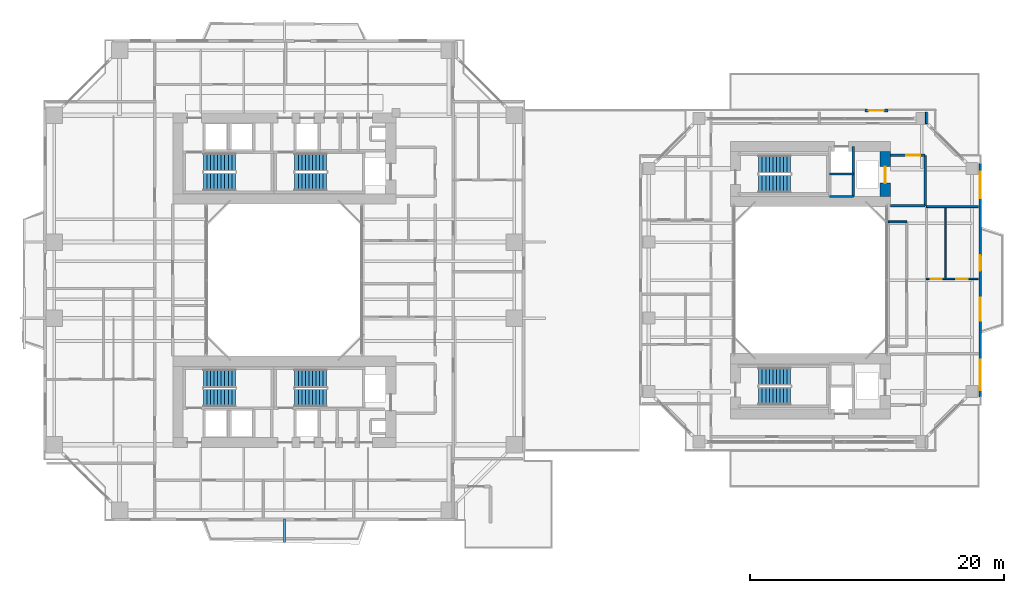
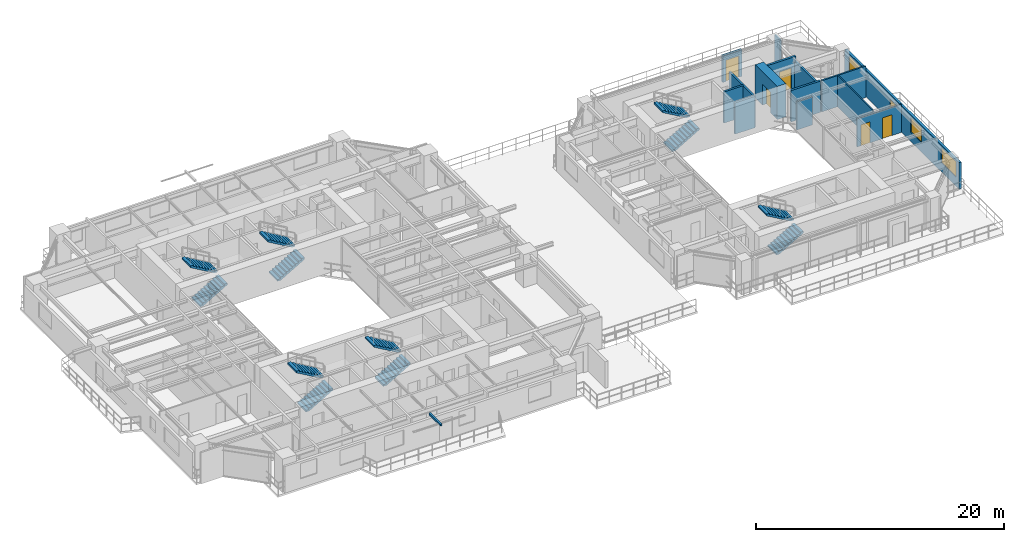
# One storey, part 16 of 22: 14 walls, 12 stair flights, 6 doors, 3 windows, 1 discrete accessory, 9 openings, 6 elements without a shape of their own.
"""IFC4 building model written with IfcOpenShell, lengths in metres."""

import ifcopenshell
import ifcopenshell.guid

model = None  # the IFC model being written
_history = None  # IfcOwnerHistory: only IFC2X3 demands one
_inside = {}  # id of a spatial element -> (the spatial element, [elements in it])
_under = {}  # id of a project, library or spatial element -> (it, [spatial elements below it])
_declared = {}  # id of a project -> (the project, [libraries it declares])
_typed = {}  # id of a type object -> (the type object, [elements of that type])
_made_of = {}  # id of a material, layer set ... -> (it, [elements and type objects made of it])


def new_model(schema):
    """Start an empty IFC model of exactly this schema.

    Asked for "IFC4X3", IfcOpenShell would pick the latest addendum, in which some entities
    have other attributes; the version numbers below select the first issue.
    IFC2X3 requires an IfcOwnerHistory on every rooted entity: one is made here for all.
    """
    global model, _history
    if schema == "IFC4X3":
        model = ifcopenshell.file(schema_version=(4, 3, 0, 0))
    else:
        model = ifcopenshell.file(schema=schema)
    _inside.clear()
    _under.clear()
    _declared.clear()
    _typed.clear()
    _made_of.clear()
    _history = None
    if model.schema == "IFC2X3":
        org = make("IfcOrganization", Name="unknown")
        user = make(
            "IfcPersonAndOrganization",
            ThePerson=make("IfcPerson", FamilyName="unknown"),
            TheOrganization=org,
        )
        app = make(
            "IfcApplication",
            ApplicationDeveloper=org,
            Version="unknown",
            ApplicationFullName="unknown",
            ApplicationIdentifier="unknown",
        )
        _history = make(
            "IfcOwnerHistory",
            OwningUser=user,
            OwningApplication=app,
            ChangeAction="ADDED",
            CreationDate=0,
        )
    return model


def make(cls, **values):
    """One entity of the class cls with the attributes given. An attribute that is None is left unset."""
    return model.create_entity(
        cls, **{name: value for name, value in values.items() if value is not None}
    )


def rooted(cls, **values):
    """An entity with a GlobalId (a new one), such as an element, a storey or a relation."""
    return make(cls, GlobalId=ifcopenshell.guid.new(), OwnerHistory=_history, **values)


def si_unit(unit_type, name, prefix=None):
    """IfcSIUnit, for example si_unit("LENGTHUNIT", "METRE", prefix="MILLI")."""
    return make("IfcSIUnit", UnitType=unit_type, Prefix=prefix, Name=name)


def assignment(units):
    """IfcUnitAssignment: the units of a project."""
    return None if units is None else make("IfcUnitAssignment", Units=units)


def point(xyz):
    """IfcCartesianPoint."""
    return None if xyz is None else make("IfcCartesianPoint", Coordinates=xyz)


def direction(xyz):
    """IfcDirection."""
    return None if xyz is None else make("IfcDirection", DirectionRatios=xyz)


def frame(location, z_axis=None, x_axis=None):
    """IfcAxis2Placement3D, a coordinate frame: its origin and axes. An axis left out is left unset."""
    return make(
        "IfcAxis2Placement3D",
        Location=point(location),
        Axis=direction(z_axis),
        RefDirection=direction(x_axis),
    )


def frame_2d(location, x_axis=None):
    """IfcAxis2Placement2D, a coordinate frame in the plane: its origin and x axis."""
    return make(
        "IfcAxis2Placement2D", Location=point(location), RefDirection=direction(x_axis)
    )


def origin():
    """The frame at (0, 0, 0) with its axes left unset."""
    return frame((0.0, 0.0, 0.0))


def origin_2d():
    """The frame at (0, 0) in the plane with its x axis left unset."""
    return frame_2d((0.0, 0.0))


def place(relative_to, where):
    """IfcLocalPlacement: puts the frame where relative to a parent placement (None: the world)."""
    return make(
        "IfcLocalPlacement", PlacementRelTo=relative_to, RelativePlacement=where
    )


def context(
    kind, dimensions, precision=None, world=None, true_north=None, identifier=None
):
    """IfcGeometricRepresentationContext, for example the 3D "Model" context."""
    return make(
        "IfcGeometricRepresentationContext",
        ContextIdentifier=identifier,
        ContextType=kind,
        CoordinateSpaceDimension=dimensions,
        Precision=precision,
        WorldCoordinateSystem=world,
        TrueNorth=true_north,
    )


def subcontext(parent, identifier, kind, view, scale=None):
    """IfcGeometricRepresentationSubContext, for example "Body" below "Model"."""
    return make(
        "IfcGeometricRepresentationSubContext",
        ContextIdentifier=identifier,
        ContextType=kind,
        ParentContext=parent,
        TargetScale=scale,
        TargetView=view,
    )


def project(units=None, contexts=None):
    """IfcProject with its units and contexts."""
    return rooted(
        "IfcProject",
        Name="project",
        RepresentationContexts=contexts,
        UnitsInContext=assignment(units),
    )


def spatial(cls, under=None, at=None, **own):
    """A site, building, storey or space (cls), placed at a placement, below another one or the project."""
    s = rooted(cls, ObjectPlacement=at, **own)
    if under is not None:
        _under.setdefault(under.id(), (under, []))[1].append(s)
    return s


def polyline(points):
    """IfcPolyline through the points."""
    return make("IfcPolyline", Points=[point(p) for p in points])


def profile(cls, at=None, kind="AREA", **sizes):
    """A parametric profile (cls). Its sizes go by their IFC names, for example OverallWidth=200.0."""
    return make(cls, ProfileType=kind, Position=at, **sizes)


def rectangle(**sizes):
    """IfcRectangleProfileDef."""
    return profile("IfcRectangleProfileDef", **sizes)


def outline(outer, holes=None, kind="AREA"):
    """IfcArbitraryClosedProfileDef: a profile drawn as a closed curve; with holes, ...WithVoids."""
    if holes is None:
        return make("IfcArbitraryClosedProfileDef", ProfileType=kind, OuterCurve=outer)
    return make(
        "IfcArbitraryProfileDefWithVoids",
        ProfileType=kind,
        OuterCurve=outer,
        InnerCurves=holes,
    )


def extrude(swept, where, along, depth):
    """IfcExtrudedAreaSolid: the profile swept, set in the frame where, extruded along a direction by depth."""
    return make(
        "IfcExtrudedAreaSolid",
        SweptArea=swept,
        Position=where,
        ExtrudedDirection=direction(along),
        Depth=depth,
    )


def shape(context_of_items, identifier, shape_type, items):
    """IfcShapeRepresentation: the items that make up one representation, for example the "Body"."""
    return make(
        "IfcShapeRepresentation",
        ContextOfItems=context_of_items,
        RepresentationIdentifier=identifier,
        RepresentationType=shape_type,
        Items=items,
    )


def source(mapping_origin, context_of_items, identifier, shape_type, items):
    """IfcRepresentationMap: a shape defined once, which mapped items show again and again."""
    return make(
        "IfcRepresentationMap",
        MappingOrigin=mapping_origin,
        MappedRepresentation=shape(context_of_items, identifier, shape_type, items),
    )


def transform(
    local_origin,
    x_axis=None,
    y_axis=None,
    z_axis=None,
    scale=None,
    scale2=None,
    scale3=None,
    uniform=True,
):
    """IfcCartesianTransformationOperator3D, or its non-uniform kind. x_axis, y_axis, z_axis: its Axis1, 2, 3."""
    if uniform:
        return make(
            "IfcCartesianTransformationOperator3D",
            Axis1=direction(x_axis),
            Axis2=direction(y_axis),
            LocalOrigin=point(local_origin),
            Scale=scale,
            Axis3=direction(z_axis),
        )
    return make(
        "IfcCartesianTransformationOperator3DnonUniform",
        Axis1=direction(x_axis),
        Axis2=direction(y_axis),
        LocalOrigin=point(local_origin),
        Scale=scale,
        Axis3=direction(z_axis),
        Scale2=scale2,
        Scale3=scale3,
    )


def mapped(mapping_source, mapping_target):
    """IfcMappedItem: shows the shape of a source again, moved by a transform."""
    return make(
        "IfcMappedItem", MappingSource=mapping_source, MappingTarget=mapping_target
    )


def material(Name=None, Category=None):
    """IfcMaterial."""
    return make("IfcMaterial", Name=Name, Category=Category)


def layer(
    of_material, thickness, ventilated=None, Name=None, Category=None, Priority=None
):
    """IfcMaterialLayer: one layer of a wall or slab, of a material (None: an air gap)."""
    return make(
        "IfcMaterialLayer",
        Material=of_material,
        LayerThickness=thickness,
        IsVentilated=ventilated,
        Name=Name,
        Category=Category,
        Priority=Priority,
    )


def layer_set(layers, Name=None):
    """IfcMaterialLayerSet."""
    return make("IfcMaterialLayerSet", MaterialLayers=layers, LayerSetName=Name)


def made_of(thing, what):
    """Note that an element or type object is made of a material, layer set ...; save() writes the relation."""
    if what is not None:
        _made_of.setdefault(what.id(), (what, []))[1].append(thing)
    return thing


def type_object(cls, material=None, **own):
    """A type object (cls), such as IfcWallType, which elements share."""
    return made_of(rooted(cls, **own), material)


def element(
    cls,
    number,
    at=None,
    inside=None,
    cuts=None,
    type_object=None,
    material=None,
    context=None,
    identifier="Body",
    shape_type=None,
    held_by="IfcProductDefinitionShape",
    body=None,
    shapes=None,
    **own,
):
    """One element of the class cls, such as IfcWall. Its Tag is "e" and its number.

    at: its placement. inside: the storey or other place that contains it. cuts: it is an
    opening in that element (IfcRelVoidsElement). A single representation is given by context,
    identifier, shape_type and body (its items); several are given by shapes. held_by: the class
    of the entity that holds the representations. save() writes the other relations.
    """
    e = rooted(cls, Tag="e%d" % number, ObjectPlacement=at, **own)
    if body is not None:
        shapes = [shape(context, identifier, shape_type, body)]
    if shapes is not None:
        e.Representation = make(held_by, Representations=shapes)
    if inside is not None:
        _inside.setdefault(inside.id(), (inside, []))[1].append(e)
    if cuts is not None:
        rooted(
            "IfcRelVoidsElement", RelatingBuildingElement=cuts, RelatedOpeningElement=e
        )
    if type_object is not None:
        _typed.setdefault(type_object.id(), (type_object, []))[1].append(e)
    return made_of(e, material)


def fill(opening, filler):
    """IfcRelFillsElement: the door or window that sits in an opening."""
    return rooted(
        "IfcRelFillsElement",
        RelatingOpeningElement=opening,
        RelatedBuildingElement=filler,
    )


def aggregate(whole, parts):
    """IfcRelAggregates: a whole, such as a stair, and the parts it consists of."""
    return rooted("IfcRelAggregates", RelatingObject=whole, RelatedObjects=parts)


def save(model, path):
    """Write the relations noted so far, then the file.

    IfcRelAggregates (storeys below a building ...), IfcRelContainedInSpatialStructure (elements
    in a storey), IfcRelDefinesByType, IfcRelAssociatesMaterial and IfcRelDeclares: one each for
    every whole, place, type object, material and project.
    """
    for whole, parts in _under.values():
        aggregate(whole, parts)
    for where, things in _inside.values():
        rooted(
            "IfcRelContainedInSpatialStructure",
            RelatedElements=things,
            RelatingStructure=where,
        )
    for kind, things in _typed.values():
        rooted("IfcRelDefinesByType", RelatedObjects=things, RelatingType=kind)
    for what, things in _made_of.values():
        rooted("IfcRelAssociatesMaterial", RelatedObjects=things, RelatingMaterial=what)
    for by, libraries in _declared.values():
        rooted("IfcRelDeclares", RelatingContext=by, RelatedDefinitions=libraries)
    model.write(path)


model = new_model("IFC4")

# Units and contexts
model_context = context("Model", 3, precision=1e-05, world=origin(), true_north=direction((0.0, 1.0)))
body_context = subcontext(model_context, "Body", "Model", "MODEL_VIEW")
ifc_project = project(units=[si_unit("LENGTHUNIT", "METRE"), si_unit("AREAUNIT", "SQUARE_METRE"), si_unit("VOLUMEUNIT", "CUBIC_METRE"), si_unit("PLANEANGLEUNIT", "RADIAN"), si_unit("MASSUNIT", "GRAM", prefix="KILO"), si_unit("THERMODYNAMICTEMPERATUREUNIT", "KELVIN"), si_unit("POWERUNIT", "WATT")], contexts=[model_context])

# Site, building, storey
site_placement = place(None, origin())
site = spatial("IfcSite", under=ifc_project, at=site_placement, CompositionType="ELEMENT")
building_placement = place(site_placement, origin())
building = spatial("IfcBuilding", under=site, at=building_placement, Name="Qiaomeng Ring Towers", CompositionType="ELEMENT")
storey_placement = place(building_placement, frame((0.0, 0.0, 23.0)))
storey = spatial("IfcBuildingStorey", under=building, at=storey_placement, Name="L05", CompositionType="ELEMENT", Elevation=23.0)

# Wall, openings, windows, door
ifc_material_1 = material(Name="Precast concrete C40", Category="concrete")
ifc_layer_1 = layer(ifc_material_1, 0.219970703125, Name="Precast concrete C40")
ifc_layer_set_1 = layer_set([ifc_layer_1], Name="Precast concrete C40")
wall_type_1 = type_object("IfcWallType", Name="ARC-WL-EW2", PredefinedType="STANDARD", material=ifc_layer_set_1)
wall_1_placement = place(storey_placement, frame((73.889892578125, 13.800048828125, 0.0), z_axis=(0.0, 0.0, 1.0), x_axis=(0.0, 1.0, 0.0)))
wall_1 = element("IfcWall", 1, at=wall_1_placement, inside=storey, type_object=wall_type_1, Name="L05 Companion East Wall", PredefinedType="STANDARD", context=body_context, shape_type="SweptSolid", body=[
    extrude(rectangle(XDim=18.39990234375, YDim=0.219970703125, at=frame_2d((9.199951171875, 0.0))), origin(), (0.0, 0.0, 1.0), 2.610107421875),
])
opening_1_placement = place(wall_1_placement, frame((9.949951171875, 0.0, 0.0)))
opening_1 = element("IfcOpeningElement", 2, at=opening_1_placement, cuts=wall_1, Name="Opening BD1", PredefinedType="OPENING", context=body_context, shape_type="SweptSolid", body=[
    extrude(rectangle(XDim=1.199951171875, YDim=2.10009765625, at=frame_2d((0.60009765625, 1.050048828125))), frame((0.0, 0.119873046875, 0.0), z_axis=(0.0, -1.0, 0.0), x_axis=(1.0, 0.0, 0.0)), (0.0, 0.0, 1.0), 0.239990234375),
])
opening_2_placement = place(wall_1_placement, frame((0.507568359375, 0.0, 0.89990234375)))
opening_2 = element("IfcOpeningElement", 3, at=opening_2_placement, cuts=wall_1, Name="Opening WN6", PredefinedType="OPENING", context=body_context, shape_type="SweptSolid", body=[
    extrude(rectangle(XDim=2.39990234375, YDim=1.5, at=frame_2d((1.199951171875, 0.75))), frame((0.0, 0.119873046875, 0.0), z_axis=(0.0, -1.0, 0.0), x_axis=(1.0, 0.0, 0.0)), (0.0, 0.0, 1.0), 0.239990234375),
])
opening_3_placement = place(wall_1_placement, frame((6.0, 0.0, 0.89990234375)))
opening_3 = element("IfcOpeningElement", 4, at=opening_3_placement, cuts=wall_1, Name="Opening WN1", PredefinedType="OPENING", context=body_context, shape_type="SweptSolid", body=[
    extrude(rectangle(XDim=1.800048828125, YDim=1.449951171875, at=frame_2d((0.89990234375, 0.72509765625))), frame((0.0, 0.119873046875, 0.0), z_axis=(0.0, -1.0, 0.0), x_axis=(1.0, 0.0, 0.0)), (0.0, 0.0, 1.0), 0.239990234375),
])
opening_4_placement = place(wall_1_placement, frame((15.642578125, 0.0, 0.89990234375)))
opening_4 = element("IfcOpeningElement", 5, at=opening_4_placement, cuts=wall_1, Name="Opening WN4", PredefinedType="OPENING", context=body_context, shape_type="SweptSolid", body=[
    extrude(rectangle(XDim=2.10009765625, YDim=1.5, at=frame_2d((1.050048828125, 0.75))), frame((0.0, 0.119873046875, 0.0), z_axis=(0.0, -1.0, 0.0), x_axis=(1.0, 0.0, 0.0)), (0.0, 0.0, 1.0), 0.239990234375),
])
ifc_material_2 = material(Name="Low-E dark-grey laminated double glazing", Category="glass")
window_type_1 = type_object("IfcWindowType", Name="ARC-WN-4", PartitioningType="TRIPLE_PANEL_VERTICAL", PredefinedType="WINDOW", material=ifc_material_2)
shared_shape_1 = source(origin(), body_context, "Body", "SweptSolid", [
    extrude(rectangle(XDim=2.10009765625, YDim=1.5, at=frame_2d((1.050048828125, 0.75))), frame((0.0, 0.030029296875, 0.0), z_axis=(0.0, -1.0, 0.0), x_axis=(1.0, 0.0, 0.0)), (0.0, 0.0, 1.0), 0.06005859375),
])
window_1_placement = place(opening_4_placement, origin())
window_1 = element("IfcWindow", 6, at=window_1_placement, inside=storey, type_object=window_type_1, Name="L05 Exterior Window WN4", OverallHeight=1.5, OverallWidth=2.10009765625, PartitioningType="TRIPLE_PANEL_VERTICAL", PredefinedType="WINDOW", context=body_context, shape_type="MappedRepresentation", body=[
    mapped(shared_shape_1, transform((0.0, 0.0, 0.0), x_axis=(1.0, 0.0, 0.0), y_axis=(0.0, 1.0, 0.0), z_axis=(0.0, 0.0, 1.0), scale=1.0)),
])
fill(opening_4, window_1)
window_type_2 = type_object("IfcWindowType", Name="ARC-WN-1", PartitioningType="DOUBLE_PANEL_VERTICAL", PredefinedType="WINDOW", material=ifc_material_2)
shared_shape_2 = source(origin(), body_context, "Body", "SweptSolid", [
    extrude(rectangle(XDim=1.800048828125, YDim=1.449951171875, at=frame_2d((0.89990234375, 0.72509765625))), frame((0.0, 0.030029296875, 0.0), z_axis=(0.0, -1.0, 0.0), x_axis=(1.0, 0.0, 0.0)), (0.0, 0.0, 1.0), 0.06005859375),
])
window_2_placement = place(opening_3_placement, origin())
window_2 = element("IfcWindow", 7, at=window_2_placement, inside=storey, type_object=window_type_2, Name="L05 Exterior Window WN1", OverallHeight=1.449951171875, OverallWidth=1.800048828125, PartitioningType="DOUBLE_PANEL_VERTICAL", PredefinedType="WINDOW", context=body_context, shape_type="MappedRepresentation", body=[
    mapped(shared_shape_2, transform((0.0, 0.0, 0.0), x_axis=(1.0, 0.0, 0.0), y_axis=(0.0, 1.0, 0.0), z_axis=(0.0, 0.0, 1.0), scale=1.0)),
])
fill(opening_3, window_2)
door_type_1 = type_object("IfcDoorType", Name="ARC-DR-BD1", OperationType="NOTDEFINED", PredefinedType="DOOR", material=ifc_material_2)
shared_shape_3 = source(origin(), body_context, "Body", "SweptSolid", [
    extrude(rectangle(XDim=1.199951171875, YDim=2.10009765625, at=frame_2d((0.60009765625, 1.050048828125))), frame((0.0, 0.02490234375, 0.0), z_axis=(0.0, -1.0, 0.0), x_axis=(1.0, 0.0, 0.0)), (0.0, 0.0, 1.0), 0.050048828125),
])
door_1_placement = place(opening_1_placement, origin())
door_1 = element("IfcDoor", 8, at=door_1_placement, inside=storey, type_object=door_type_1, Name="L05 Companion East Balcony Door", OperationType="SINGLE_SWING_LEFT", OverallHeight=2.10009765625, OverallWidth=1.199951171875, PredefinedType="DOOR", context=body_context, shape_type="MappedRepresentation", body=[
    mapped(shared_shape_3, transform((0.0, 0.0, 0.0), x_axis=(1.0, 0.0, 0.0), y_axis=(0.0, 1.0, 0.0), z_axis=(0.0, 0.0, 1.0), scale=1.0)),
])
fill(opening_1, door_1)
window_type_3 = type_object("IfcWindowType", Name="ARC-WN-6", PartitioningType="TRIPLE_PANEL_VERTICAL", PredefinedType="WINDOW", material=ifc_material_2)
shared_shape_4 = source(origin(), body_context, "Body", "SweptSolid", [
    extrude(rectangle(XDim=2.39990234375, YDim=1.5, at=frame_2d((1.199951171875, 0.75))), frame((0.0, 0.030029296875, 0.0), z_axis=(0.0, -1.0, 0.0), x_axis=(1.0, 0.0, 0.0)), (0.0, 0.0, 1.0), 0.06005859375),
])
window_3_placement = place(opening_2_placement, origin())
window_3 = element("IfcWindow", 9, at=window_3_placement, inside=storey, type_object=window_type_3, Name="L05 Exterior Window WN6", OverallHeight=1.5, OverallWidth=2.39990234375, PartitioningType="TRIPLE_PANEL_VERTICAL", PredefinedType="WINDOW", context=body_context, shape_type="MappedRepresentation", body=[
    mapped(shared_shape_4, transform((0.0, 0.0, 0.0), x_axis=(1.0, 0.0, 0.0), y_axis=(0.0, 1.0, 0.0), z_axis=(0.0, 0.0, 1.0), scale=1.0)),
])
fill(opening_2, window_3)

# Wall, opening, door
wall_2_placement = place(storey_placement, frame((64.800048828125, 36.389892578125, 0.0), z_axis=(0.0, 0.0, 1.0), x_axis=(1.0, 0.0, 0.0)))
wall_2 = element("IfcWall", 10, at=wall_2_placement, inside=storey, type_object=wall_type_1, Name="L05 Companion North Terrace Gate Wall", PredefinedType="STANDARD", context=body_context, shape_type="SweptSolid", body=[
    extrude(rectangle(XDim=1.800048828125, YDim=0.219970703125, at=frame_2d((0.89990234375, 0.0))), origin(), (0.0, 0.0, 1.0), 2.610107421875),
])
opening_5_placement = place(wall_2_placement, frame((0.300048828125, 0.0, 0.0)))
opening_5 = element("IfcOpeningElement", 11, at=opening_5_placement, cuts=wall_2, Name="Opening BD1", PredefinedType="OPENING", context=body_context, shape_type="SweptSolid", body=[
    extrude(rectangle(XDim=1.199951171875, YDim=2.10009765625, at=frame_2d((0.60009765625, 1.050048828125))), frame((0.0, 0.119873046875, 0.0), z_axis=(0.0, -1.0, 0.0), x_axis=(1.0, 0.0, 0.0)), (0.0, 0.0, 1.0), 0.239990234375),
])
door_2_placement = place(opening_5_placement, origin())
door_2 = element("IfcDoor", 12, at=door_2_placement, inside=storey, type_object=door_type_1, Name="L05 Companion North Roof Terrace Door", OperationType="SINGLE_SWING_LEFT", OverallHeight=2.10009765625, OverallWidth=1.199951171875, PredefinedType="DOOR", context=body_context, shape_type="MappedRepresentation", body=[
    mapped(shared_shape_3, transform((0.0, 0.0, 0.0), x_axis=(1.0, 0.0, 0.0), y_axis=(0.0, 1.0, 0.0), z_axis=(0.0, 0.0, 1.0), scale=1.0)),
])
fill(opening_5, door_2)

# Walls
ifc_material_3 = material(Name="Autoclaved aerated concrete block", Category="concrete")
ifc_layer_2 = layer(ifc_material_3, 0.199951171875, Name="Autoclaved aerated concrete block")
ifc_layer_set_2 = layer_set([ifc_layer_2], Name="Autoclaved aerated concrete block")
wall_type_2 = type_object("IfcWallType", Name="ARC-WL-PW1", PredefinedType="PARTITIONING", material=ifc_layer_set_2)
wall_3_placement = place(storey_placement, frame((66.800048828125, 28.85009765625, 0.0), z_axis=(0.0, 0.0, 1.0), x_axis=(1.0, 0.0, 0.0)))
element("IfcWall", 13, at=wall_3_placement, inside=storey, type_object=wall_type_2, Name="L05 Interior Wall PW1", PredefinedType="PARTITIONING", context=body_context, shape_type="SweptSolid", body=[
    extrude(rectangle(XDim=2.75, YDim=0.199951171875, at=frame_2d((1.375, 0.0))), origin(), (0.0, 0.0, 1.0), 3.070068359375),
])
wall_4_placement = place(storey_placement, frame((69.550048828125, 28.85009765625, 0.0), z_axis=(0.0, 0.0, 1.0), x_axis=(0.0, 1.0, 0.0)))
element("IfcWall", 14, at=wall_4_placement, inside=storey, type_object=wall_type_2, Name="L05 Interior Wall PW1", PredefinedType="PARTITIONING", context=body_context, shape_type="SweptSolid", body=[
    extrude(rectangle(XDim=4.0, YDim=0.199951171875, at=frame_2d((2.0, 0.0))), origin(), (0.0, 0.0, 1.0), 2.614990234375),
])

# Wall, opening, door
wall_5_placement = place(storey_placement, frame((66.800048828125, 32.85009765625, 0.0), z_axis=(0.0, 0.0, 1.0), x_axis=(1.0, 0.0, 0.0)))
wall_5 = element("IfcWall", 15, at=wall_5_placement, inside=storey, type_object=wall_type_2, Name="L05 Interior Wall PW1", PredefinedType="PARTITIONING", context=body_context, shape_type="SweptSolid", body=[
    extrude(rectangle(XDim=2.75, YDim=0.199951171875, at=frame_2d((1.375, 0.0))), origin(), (0.0, 0.0, 1.0), 3.070068359375),
])
opening_6_placement = place(wall_5_placement, frame((1.25, 0.0, 0.0)))
opening_6 = element("IfcOpeningElement", 16, at=opening_6_placement, cuts=wall_5, Name="Opening FD3", PredefinedType="OPENING", context=body_context, shape_type="SweptSolid", body=[
    extrude(rectangle(XDim=1.10009765625, YDim=2.050048828125, at=frame_2d((0.550048828125, 1.02490234375))), frame((0.0, 0.10986328125, 0.0), z_axis=(0.0, -1.0, 0.0), x_axis=(1.0, 0.0, 0.0)), (0.0, 0.0, 1.0), 0.219970703125),
])
ifc_material_4 = material(Name="Galvanised steel", Category="steel")
door_type_2 = type_object("IfcDoorType", Name="ARC-DR-FD3", OperationType="NOTDEFINED", PredefinedType="DOOR", material=ifc_material_4)
shared_shape_5 = source(origin(), body_context, "Body", "SweptSolid", [
    extrude(rectangle(XDim=1.10009765625, YDim=2.050048828125, at=frame_2d((0.550048828125, 1.02490234375))), frame((0.0, 0.02490234375, 0.0), z_axis=(0.0, -1.0, 0.0), x_axis=(1.0, 0.0, 0.0)), (0.0, 0.0, 1.0), 0.050048828125),
])
door_3_placement = place(opening_6_placement, origin())
door_3 = element("IfcDoor", 17, at=door_3_placement, inside=storey, type_object=door_type_2, Name="L05 Door FD3", OperationType="SINGLE_SWING_RIGHT", OverallHeight=2.050048828125, OverallWidth=1.10009765625, PredefinedType="DOOR", context=body_context, shape_type="MappedRepresentation", body=[
    mapped(shared_shape_5, transform((0.0, 0.0, 0.0), x_axis=(1.0, 0.0, 0.0), y_axis=(0.0, 1.0, 0.0), z_axis=(0.0, 0.0, 1.0), scale=1.0)),
])
fill(opening_6, door_3)

# Walls
ifc_material_5 = material(Name="Gypsum fireboard steel-stud partition", Category="steel")
ifc_layer_3 = layer(ifc_material_5, 0.14990234375, Name="Gypsum fireboard steel-stud partition")
ifc_layer_set_3 = layer_set([ifc_layer_3], Name="Gypsum fireboard steel-stud partition")
wall_type_3 = type_object("IfcWallType", Name="ARC-WL-PW3", PredefinedType="PARTITIONING", material=ifc_layer_set_3)
wall_6_placement = place(storey_placement, frame((69.64990234375, 28.800048828125, 0.0), z_axis=(0.0, 0.0, 1.0), x_axis=(1.0, 0.0, 0.0)))
element("IfcWall", 18, at=wall_6_placement, inside=storey, type_object=wall_type_3, Name="L05 Interior Wall PW3", PredefinedType="PARTITIONING", context=body_context, shape_type="SweptSolid", body=[
    extrude(rectangle(XDim=4.10009765625, YDim=0.14990234375, at=frame_2d((2.050048828125, 0.0))), origin(), (0.0, 0.0, 1.0), 3.070068359375),
])
wall_7_placement = place(storey_placement, frame((66.64990234375, 27.60009765625, 0.0), z_axis=(0.0, 0.0, 1.0), x_axis=(1.0, 0.0, 0.0)))
element("IfcWall", 19, at=wall_7_placement, inside=storey, type_object=wall_type_3, Name="L05 Interior Wall PW3", PredefinedType="PARTITIONING", context=body_context, shape_type="SweptSolid", body=[
    extrude(rectangle(XDim=1.4501953125, YDim=0.14990234375, at=frame_2d((0.72509765625, 0.0))), origin(), (0.0, 0.0, 1.0), 2.77099609375),
])
wall_8_placement = place(storey_placement, frame((69.64990234375, 35.35009765625, 0.0), z_axis=(0.0, 0.0, 1.0), x_axis=(0.0, 1.0, 0.0)))
element("IfcWall", 20, at=wall_8_placement, inside=storey, type_object=wall_type_3, Name="L05 Interior Wall PW3", PredefinedType="PARTITIONING", context=body_context, shape_type="SweptSolid", body=[
    extrude(rectangle(XDim=0.89990234375, YDim=0.14990234375, at=frame_2d((0.449951171875, 0.0))), origin(), (0.0, 0.0, 1.0), 3.070068359375),
])

# Wall, openings, doors
ifc_material_6 = material(Name="Moisture-resistant gypsum steel-stud partition", Category="steel")
ifc_layer_4 = layer(ifc_material_6, 0.1201171875, Name="Moisture-resistant gypsum steel-stud partition")
ifc_layer_set_4 = layer_set([ifc_layer_4], Name="Moisture-resistant gypsum steel-stud partition")
wall_type_4 = type_object("IfcWallType", Name="ARC-WL-PW4", PredefinedType="PLUMBINGWALL", material=ifc_layer_set_4)
wall_9_placement = place(storey_placement, frame((69.64990234375, 23.10009765625, 0.0), z_axis=(0.0, 0.0, 1.0), x_axis=(1.0, 0.0, 0.0)))
wall_9 = element("IfcWall", 21, at=wall_9_placement, inside=storey, type_object=wall_type_4, Name="L05 Interior Wall PW4", PredefinedType="PLUMBINGWALL", context=body_context, shape_type="SweptSolid", body=[
    extrude(rectangle(XDim=4.10009765625, YDim=0.1201171875, at=frame_2d((2.050048828125, 0.0))), origin(), (0.0, 0.0, 1.0), 2.77099609375),
])
opening_7_placement = place(wall_9_placement, frame((0.344970703125, 0.0, 0.0)))
opening_7 = element("IfcOpeningElement", 22, at=opening_7_placement, cuts=wall_9, Name="Opening ID2", PredefinedType="OPENING", context=body_context, shape_type="SweptSolid", body=[
    extrude(rectangle(XDim=0.85009765625, YDim=2.050048828125, at=frame_2d((0.425048828125, 1.02490234375))), frame((0.0, 0.070068359375, 0.0), z_axis=(0.0, -1.0, 0.0), x_axis=(1.0, 0.0, 0.0)), (0.0, 0.0, 1.0), 0.14013671875),
])
opening_8_placement = place(wall_9_placement, frame((2.35009765625, 0.0, 0.0)))
opening_8 = element("IfcOpeningElement", 23, at=opening_8_placement, cuts=wall_9, Name="Opening ID1", PredefinedType="OPENING", context=body_context, shape_type="SweptSolid", body=[
    extrude(rectangle(XDim=0.89990234375, YDim=2.050048828125, at=frame_2d((0.449951171875, 1.02490234375))), frame((0.0, 0.070068359375, 0.0), z_axis=(0.0, -1.0, 0.0), x_axis=(1.0, 0.0, 0.0)), (0.0, 0.0, 1.0), 0.14013671875),
])
ifc_material_7 = material(Name="Moisture-resistant engineered timber", Category="wood")
door_type_3 = type_object("IfcDoorType", Name="ARC-DR-ID2", OperationType="NOTDEFINED", PredefinedType="DOOR", material=ifc_material_7)
shared_shape_6 = source(origin(), body_context, "Body", "SweptSolid", [
    extrude(rectangle(XDim=0.85009765625, YDim=2.050048828125, at=frame_2d((0.425048828125, 1.02490234375))), frame((0.0, 0.02490234375, 0.0), z_axis=(0.0, -1.0, 0.0), x_axis=(1.0, 0.0, 0.0)), (0.0, 0.0, 1.0), 0.050048828125),
])
door_4_placement = place(opening_7_placement, origin())
door_4 = element("IfcDoor", 24, at=door_4_placement, inside=storey, type_object=door_type_3, Name="L05 Door ID2", OperationType="SINGLE_SWING_RIGHT", OverallHeight=2.050048828125, OverallWidth=0.85009765625, PredefinedType="DOOR", context=body_context, shape_type="MappedRepresentation", body=[
    mapped(shared_shape_6, transform((0.0, 0.0, 0.0), x_axis=(1.0, 0.0, 0.0), y_axis=(0.0, 1.0, 0.0), z_axis=(0.0, 0.0, 1.0), scale=1.0)),
])
fill(opening_7, door_4)
ifc_material_8 = material(Name="Engineered oak timber", Category="wood")
door_type_4 = type_object("IfcDoorType", Name="ARC-DR-ID1", OperationType="NOTDEFINED", PredefinedType="DOOR", material=ifc_material_8)
shared_shape_7 = source(origin(), body_context, "Body", "SweptSolid", [
    extrude(rectangle(XDim=0.89990234375, YDim=2.050048828125, at=frame_2d((0.449951171875, 1.02490234375))), frame((0.0, 0.02490234375, 0.0), z_axis=(0.0, -1.0, 0.0), x_axis=(1.0, 0.0, 0.0)), (0.0, 0.0, 1.0), 0.050048828125),
])
door_5_placement = place(opening_8_placement, origin())
door_5 = element("IfcDoor", 25, at=door_5_placement, inside=storey, type_object=door_type_4, Name="L05 Door ID1", OperationType="SINGLE_SWING_LEFT", OverallHeight=2.050048828125, OverallWidth=0.89990234375, PredefinedType="DOOR", context=body_context, shape_type="MappedRepresentation", body=[
    mapped(shared_shape_7, transform((0.0, 0.0, 0.0), x_axis=(1.0, 0.0, 0.0), y_axis=(0.0, 1.0, 0.0), z_axis=(0.0, 0.0, 1.0), scale=1.0)),
])
fill(opening_8, door_5)

# Walls
wall_10_placement = place(storey_placement, frame((71.169921875, 23.10009765625, 0.0), z_axis=(0.0, 0.0, 1.0), x_axis=(0.0, 1.0, 0.0)))
element("IfcWall", 26, at=wall_10_placement, inside=storey, type_object=wall_type_4, Name="L05 Interior Wall PW4", PredefinedType="PLUMBINGWALL", context=body_context, shape_type="SweptSolid", body=[
    extrude(rectangle(XDim=5.699951171875, YDim=0.1201171875, at=frame_2d((2.85009765625, 0.0))), origin(), (0.0, 0.0, 1.0), 3.070068359375),
])
ifc_material_9 = material(Name="Concrete C40", Category="concrete")
ifc_layer_5 = layer(ifc_material_9, 0.199951171875, Name="Concrete C40")
ifc_layer_set_5 = layer_set([ifc_layer_5], Name="Concrete C40")
wall_type_5 = type_object("IfcWallType", Name="STR-WL-STSHAFT", PredefinedType="SHEAR", material=ifc_layer_set_5)
wall_11_placement = place(storey_placement, frame((63.8798828125, 29.60009765625, 0.0), z_axis=(0.0, 0.0, 1.0), x_axis=(0.0, 1.0, 0.0)))
element("IfcWall", 27, at=wall_11_placement, inside=storey, type_object=wall_type_5, Name="L05 Companion Lift Shaft East Wall N", PredefinedType="SHEAR", context=body_context, shape_type="SweptSolid", body=[
    extrude(rectangle(XDim=3.949951171875, YDim=0.179931640625, at=frame_2d((1.97509765625, 0.0))), origin(), (0.0, 0.0, 1.0), 3.070068359375),
])
for number, where, z_axis, x_axis, name in (
    (28, (62.02001953125, 31.3798828125, 0.0), (0.0, 0.0, 1.0), (1.0, 0.0, 0.0), "L05 Companion Lift Shaft Divider Wall N"),
    (29, (62.02001953125, 29.60009765625, 0.0), (0.0, 0.0, 1.0), (1.0, 0.0, 0.0), "L05 Companion Riser Shaft Back Wall N"),
):
    element("IfcWall", number, at=place(storey_placement, frame(where, z_axis=z_axis, x_axis=x_axis)), inside=storey, type_object=wall_type_5, Name=name, PredefinedType="SHEAR", context=body_context, shape_type="SweptSolid", body=[
        extrude(rectangle(XDim=1.85986328125, YDim=0.179931640625, at=frame_2d((0.929931640625, 0.0))), origin(), (0.0, 0.0, 1.0), 3.070068359375),
    ])

# Wall, opening, door
ifc_material_10 = material(Name="Concrete C60", Category="concrete")
ifc_layer_6 = layer(ifc_material_10, 0.800048828125, Name="Concrete C60")
ifc_layer_set_6 = layer_set([ifc_layer_6], Name="Concrete C60")
wall_type_6 = type_object("IfcWallType", Name="STR-WL-SW1", PredefinedType="SHEAR", material=ifc_layer_set_6)
wall_12_placement = place(storey_placement, frame((66.39990234375, 29.60009765625, 0.0), z_axis=(0.0, 0.0, 1.0), x_axis=(0.0, 1.0, 0.0)))
wall_12 = element("IfcWall", 30, at=wall_12_placement, inside=storey, type_object=wall_type_6, Name="L05 T2NC east core shear wall", PredefinedType="SHEAR", context=body_context, shape_type="SweptSolid", body=[
    extrude(rectangle(XDim=3.5498046875, YDim=0.800048828125, at=frame_2d((1.77490234375, 0.0))), origin(), (0.0, 0.0, 1.0), 3.25),
])
opening_9_placement = place(wall_12_placement, frame((1.050048828125, 0.0, 0.0)))
opening_9 = element("IfcOpeningElement", 31, at=opening_9_placement, cuts=wall_12, Name="Opening LD2", PredefinedType="OPENING", context=body_context, shape_type="SweptSolid", body=[
    extrude(rectangle(XDim=1.300048828125, YDim=2.050048828125, at=frame_2d((0.64990234375, 1.02490234375))), frame((0.0, 0.409912109375, 0.0), z_axis=(0.0, -1.0, 0.0), x_axis=(1.0, 0.0, 0.0)), (0.0, 0.0, 1.0), 0.820068359375),
])
ifc_material_11 = material(Name="Stainless steel 316", Category="steel")
door_type_5 = type_object("IfcDoorType", Name="ARC-DR-LD2", OperationType="NOTDEFINED", PredefinedType="DOOR", material=ifc_material_11)
shared_shape_8 = source(origin(), body_context, "Body", "SweptSolid", [
    extrude(rectangle(XDim=1.300048828125, YDim=2.050048828125, at=frame_2d((0.64990234375, 1.02490234375))), frame((0.0, 0.02490234375, 0.0), z_axis=(0.0, -1.0, 0.0), x_axis=(1.0, 0.0, 0.0)), (0.0, 0.0, 1.0), 0.050048828125),
])
door_6_placement = place(opening_9_placement, origin())
door_6 = element("IfcDoor", 32, at=door_6_placement, inside=storey, type_object=door_type_5, Name="L05 Firefighting Lift FL3 Landing Door", OperationType="SLIDING_TO_LEFT", OverallHeight=2.050048828125, OverallWidth=1.300048828125, PredefinedType="DOOR", context=body_context, shape_type="MappedRepresentation", body=[
    mapped(shared_shape_8, transform((0.0, 0.0, 0.0), x_axis=(1.0, 0.0, 0.0), y_axis=(0.0, 1.0, 0.0), z_axis=(0.0, 0.0, 1.0), scale=1.0)),
])
fill(opening_9, door_6)

# Stair, stair flights
stair_type = type_object("IfcStairType", Name="ARC-ST-325", PredefinedType="HALF_TURN_STAIR", material=ifc_material_1)
stair_1_placement = place(storey_placement, origin())
stair_1 = element("IfcStair", 33, at=stair_1_placement, inside=storey, type_object=stair_type, Name="L05 Tower 1 North Stair 1", PredefinedType="HALF_TURN_STAIR")
stair_flight_type = type_object("IfcStairFlightType", Name="ARC-ST-325-FL", PredefinedType="STRAIGHT", material=ifc_material_1)
shared_shape_9 = source(origin(), body_context, "Body", "SweptSolid", [
    extrude(outline(polyline([(0.0, 0.0), (0.0, 0.16259765625), (0.280029296875, 0.16259765625), (0.280029296875, 0.324951171875), (0.56005859375, 0.324951171875), (0.56005859375, 0.487548828125), (0.840087890625, 0.487548828125), (0.840087890625, 0.64990234375), (1.1201171875, 0.64990234375), (1.1201171875, 0.8125), (1.39990234375, 0.8125), (1.39990234375, 0.97509765625), (1.679931640625, 0.97509765625), (1.679931640625, 1.137451171875), (1.9599609375, 1.137451171875), (1.9599609375, 1.300048828125), (2.239990234375, 1.300048828125), (2.239990234375, 1.46240234375), (2.52001953125, 1.46240234375), (2.52001953125, 1.625), (2.52001953125, 1.2890625), (0.298583984375, 0.0), (0.0, 0.0)])), frame((0.0, 0.699951171875, 0.0), z_axis=(0.0, -1.0, 0.0), x_axis=(1.0, 0.0, 0.0)), (0.0, 0.0, 1.0), 1.39990234375),
])
stair_flight_1_placement = place(storey_placement, frame((12.6201171875, 30.75, 0.0), z_axis=(0.0, 0.0, 1.0), x_axis=(1.0, 0.0, 0.0)))
stair_flight_1 = element("IfcStairFlight", 34, at=stair_flight_1_placement, type_object=stair_flight_type, Name="ST1 flight 1", NumberOfRisers=10, NumberOfTreads=9, PredefinedType="STRAIGHT", RiserHeight=0.1625, TreadLength=0.28, context=body_context, shape_type="MappedRepresentation", body=[
    mapped(shared_shape_9, transform((0.0, 0.0, 0.0), x_axis=(1.0, 0.0, 0.0), y_axis=(0.0, 1.0, 0.0), z_axis=(0.0, 0.0, 1.0), scale=1.0)),
])
stair_flight_2_placement = place(storey_placement, frame((15.139892578125, 32.2900390625, 1.625), z_axis=(0.0, 0.0, 1.0), x_axis=(-1.0, 0.0, 0.0)))
stair_flight_2 = element("IfcStairFlight", 35, at=stair_flight_2_placement, type_object=stair_flight_type, Name="ST1 flight 2", NumberOfRisers=10, NumberOfTreads=9, PredefinedType="STRAIGHT", RiserHeight=0.1625, TreadLength=0.28, context=body_context, shape_type="MappedRepresentation", body=[
    mapped(shared_shape_9, transform((0.0, 0.0, 0.0), x_axis=(1.0, 0.0, 0.0), y_axis=(0.0, 1.0, 0.0), z_axis=(0.0, 0.0, 1.0), scale=1.0)),
])
aggregate(stair_1, [stair_flight_1, stair_flight_2])

stair_2_placement = place(storey_placement, origin())
stair_2 = element("IfcStair", 36, at=stair_2_placement, inside=storey, type_object=stair_type, Name="L05 Tower 1 North Stair 2", PredefinedType="HALF_TURN_STAIR")
stair_flight_3_placement = place(storey_placement, frame((19.820068359375, 30.75, 0.0), z_axis=(0.0, 0.0, 1.0), x_axis=(1.0, 0.0, 0.0)))
stair_flight_3 = element("IfcStairFlight", 37, at=stair_flight_3_placement, type_object=stair_flight_type, Name="ST2 flight 1", NumberOfRisers=10, NumberOfTreads=9, PredefinedType="STRAIGHT", RiserHeight=0.1625, TreadLength=0.28, context=body_context, shape_type="MappedRepresentation", body=[
    mapped(shared_shape_9, transform((0.0, 0.0, 0.0), x_axis=(1.0, 0.0, 0.0), y_axis=(0.0, 1.0, 0.0), z_axis=(0.0, 0.0, 1.0), scale=1.0)),
])
stair_flight_4_placement = place(storey_placement, frame((22.340087890625, 32.2900390625, 1.625), z_axis=(0.0, 0.0, 1.0), x_axis=(-1.0, 0.0, 0.0)))
stair_flight_4 = element("IfcStairFlight", 38, at=stair_flight_4_placement, type_object=stair_flight_type, Name="ST2 flight 2", NumberOfRisers=10, NumberOfTreads=9, PredefinedType="STRAIGHT", RiserHeight=0.1625, TreadLength=0.28, context=body_context, shape_type="MappedRepresentation", body=[
    mapped(shared_shape_9, transform((0.0, 0.0, 0.0), x_axis=(1.0, 0.0, 0.0), y_axis=(0.0, 1.0, 0.0), z_axis=(0.0, 0.0, 1.0), scale=1.0)),
])
aggregate(stair_2, [stair_flight_3, stair_flight_4])

stair_3_placement = place(storey_placement, origin())
stair_3 = element("IfcStair", 39, at=stair_3_placement, inside=storey, type_object=stair_type, Name="L05 Tower 1 South Stair 3", PredefinedType="HALF_TURN_STAIR")
stair_flight_5_placement = place(storey_placement, frame((12.6201171875, 13.7099609375, 0.0), z_axis=(0.0, 0.0, 1.0), x_axis=(1.0, 0.0, 0.0)))
stair_flight_5 = element("IfcStairFlight", 40, at=stair_flight_5_placement, type_object=stair_flight_type, Name="ST3 flight 1", NumberOfRisers=10, NumberOfTreads=9, PredefinedType="STRAIGHT", RiserHeight=0.1625, TreadLength=0.28, context=body_context, shape_type="MappedRepresentation", body=[
    mapped(shared_shape_9, transform((0.0, 0.0, 0.0), x_axis=(1.0, 0.0, 0.0), y_axis=(0.0, 1.0, 0.0), z_axis=(0.0, 0.0, 1.0), scale=1.0)),
])
stair_flight_6_placement = place(storey_placement, frame((15.139892578125, 15.25, 1.625), z_axis=(0.0, 0.0, 1.0), x_axis=(-1.0, 0.0, 0.0)))
stair_flight_6 = element("IfcStairFlight", 41, at=stair_flight_6_placement, type_object=stair_flight_type, Name="ST3 flight 2", NumberOfRisers=10, NumberOfTreads=9, PredefinedType="STRAIGHT", RiserHeight=0.1625, TreadLength=0.28, context=body_context, shape_type="MappedRepresentation", body=[
    mapped(shared_shape_9, transform((0.0, 0.0, 0.0), x_axis=(1.0, 0.0, 0.0), y_axis=(0.0, 1.0, 0.0), z_axis=(0.0, 0.0, 1.0), scale=1.0)),
])
aggregate(stair_3, [stair_flight_5, stair_flight_6])

stair_4_placement = place(storey_placement, origin())
stair_4 = element("IfcStair", 42, at=stair_4_placement, inside=storey, type_object=stair_type, Name="L05 Tower 1 South Stair 4", PredefinedType="HALF_TURN_STAIR")
stair_flight_7_placement = place(storey_placement, frame((19.820068359375, 13.7099609375, 0.0), z_axis=(0.0, 0.0, 1.0), x_axis=(1.0, 0.0, 0.0)))
stair_flight_7 = element("IfcStairFlight", 43, at=stair_flight_7_placement, type_object=stair_flight_type, Name="ST4 flight 1", NumberOfRisers=10, NumberOfTreads=9, PredefinedType="STRAIGHT", RiserHeight=0.1625, TreadLength=0.28, context=body_context, shape_type="MappedRepresentation", body=[
    mapped(shared_shape_9, transform((0.0, 0.0, 0.0), x_axis=(1.0, 0.0, 0.0), y_axis=(0.0, 1.0, 0.0), z_axis=(0.0, 0.0, 1.0), scale=1.0)),
])
stair_flight_8_placement = place(storey_placement, frame((22.340087890625, 15.25, 1.625), z_axis=(0.0, 0.0, 1.0), x_axis=(-1.0, 0.0, 0.0)))
stair_flight_8 = element("IfcStairFlight", 44, at=stair_flight_8_placement, type_object=stair_flight_type, Name="ST4 flight 2", NumberOfRisers=10, NumberOfTreads=9, PredefinedType="STRAIGHT", RiserHeight=0.1625, TreadLength=0.28, context=body_context, shape_type="MappedRepresentation", body=[
    mapped(shared_shape_9, transform((0.0, 0.0, 0.0), x_axis=(1.0, 0.0, 0.0), y_axis=(0.0, 1.0, 0.0), z_axis=(0.0, 0.0, 1.0), scale=1.0)),
])
aggregate(stair_4, [stair_flight_7, stair_flight_8])

stair_5_placement = place(storey_placement, origin())
stair_5 = element("IfcStair", 45, at=stair_5_placement, inside=storey, type_object=stair_type, Name="L05 Companion North Stair 5", PredefinedType="HALF_TURN_STAIR")
stair_flight_9_placement = place(storey_placement, frame((56.419921875, 30.60009765625, 0.0), z_axis=(0.0, 0.0, 1.0), x_axis=(1.0, 0.0, 0.0)))
stair_flight_9 = element("IfcStairFlight", 46, at=stair_flight_9_placement, type_object=stair_flight_type, Name="ST5 flight 1", NumberOfRisers=10, NumberOfTreads=9, PredefinedType="STRAIGHT", RiserHeight=0.1625, TreadLength=0.28, context=body_context, shape_type="MappedRepresentation", body=[
    mapped(shared_shape_9, transform((0.0, 0.0, 0.0), x_axis=(1.0, 0.0, 0.0), y_axis=(0.0, 1.0, 0.0), z_axis=(0.0, 0.0, 1.0), scale=1.0)),
])
stair_flight_10_placement = place(storey_placement, frame((58.93994140625, 32.139892578125, 1.625), z_axis=(0.0, 0.0, 1.0), x_axis=(-1.0, 0.0, 0.0)))
stair_flight_10 = element("IfcStairFlight", 47, at=stair_flight_10_placement, type_object=stair_flight_type, Name="ST5 flight 2", NumberOfRisers=10, NumberOfTreads=9, PredefinedType="STRAIGHT", RiserHeight=0.1625, TreadLength=0.28, context=body_context, shape_type="MappedRepresentation", body=[
    mapped(shared_shape_9, transform((0.0, 0.0, 0.0), x_axis=(1.0, 0.0, 0.0), y_axis=(0.0, 1.0, 0.0), z_axis=(0.0, 0.0, 1.0), scale=1.0)),
])
aggregate(stair_5, [stair_flight_9, stair_flight_10])

stair_6_placement = place(storey_placement, origin())
stair_6 = element("IfcStair", 48, at=stair_6_placement, inside=storey, type_object=stair_type, Name="L05 Companion South Stair 6", PredefinedType="HALF_TURN_STAIR")
stair_flight_11_placement = place(storey_placement, frame((56.419921875, 13.860107421875, 0.0), z_axis=(0.0, 0.0, 1.0), x_axis=(1.0, 0.0, 0.0)))
stair_flight_11 = element("IfcStairFlight", 49, at=stair_flight_11_placement, type_object=stair_flight_type, Name="ST6 flight 1", NumberOfRisers=10, NumberOfTreads=9, PredefinedType="STRAIGHT", RiserHeight=0.1625, TreadLength=0.28, context=body_context, shape_type="MappedRepresentation", body=[
    mapped(shared_shape_9, transform((0.0, 0.0, 0.0), x_axis=(1.0, 0.0, 0.0), y_axis=(0.0, 1.0, 0.0), z_axis=(0.0, 0.0, 1.0), scale=1.0)),
])
stair_flight_12_placement = place(storey_placement, frame((58.93994140625, 15.39990234375, 1.625), z_axis=(0.0, 0.0, 1.0), x_axis=(-1.0, 0.0, 0.0)))
stair_flight_12 = element("IfcStairFlight", 50, at=stair_flight_12_placement, type_object=stair_flight_type, Name="ST6 flight 2", NumberOfRisers=10, NumberOfTreads=9, PredefinedType="STRAIGHT", RiserHeight=0.1625, TreadLength=0.28, context=body_context, shape_type="MappedRepresentation", body=[
    mapped(shared_shape_9, transform((0.0, 0.0, 0.0), x_axis=(1.0, 0.0, 0.0), y_axis=(0.0, 1.0, 0.0), z_axis=(0.0, 0.0, 1.0), scale=1.0)),
])
aggregate(stair_6, [stair_flight_11, stair_flight_12])

# Discrete accessory
discrete_accessory_type = type_object("IfcDiscreteAccessoryType", Name="ARC-ACC-BRACKET", PredefinedType="BRACKET", material=ifc_material_11)
shared_shape_10 = source(origin(), body_context, "Body", "SweptSolid", [
    extrude(rectangle(XDim=0.159912109375, YDim=1.85009765625, at=origin_2d()), origin(), (0.0, 0.0, 1.0), 0.179931640625),
])
discrete_accessory_placement = place(storey_placement, frame((19.0, 3.22509765625, 2.89990234375), z_axis=(0.0, 0.0, 1.0), x_axis=(1.0, 0.0, 0.0)))
element("IfcDiscreteAccessory", 51, at=discrete_accessory_placement, inside=storey, type_object=discrete_accessory_type, Name="L05 Stainless Outer-Skin Tie Bracket S", PredefinedType="BRACKET", context=body_context, shape_type="MappedRepresentation", body=[
    mapped(shared_shape_10, transform((0.0, 0.0, 0.0), x_axis=(1.0, 0.0, 0.0), y_axis=(0.0, 1.0, 0.0), z_axis=(0.0, 0.0, 1.0), scale=1.0)),
])

save(model, "model.ifc")
